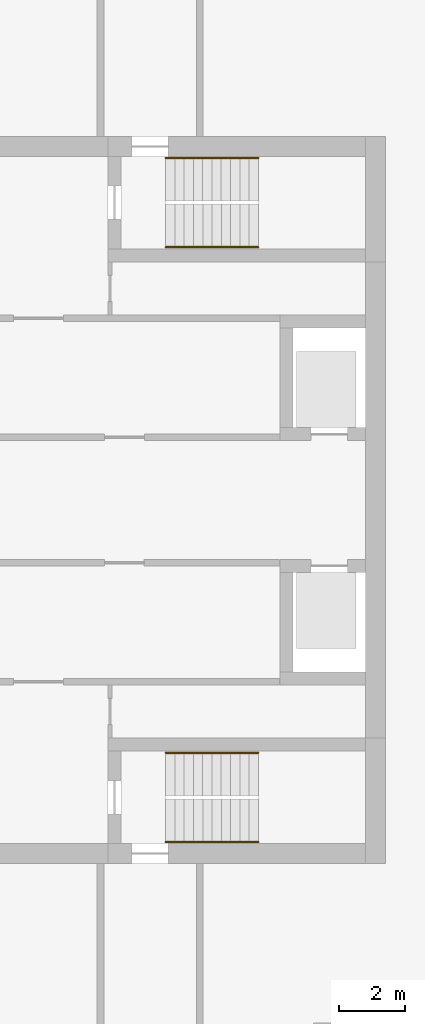
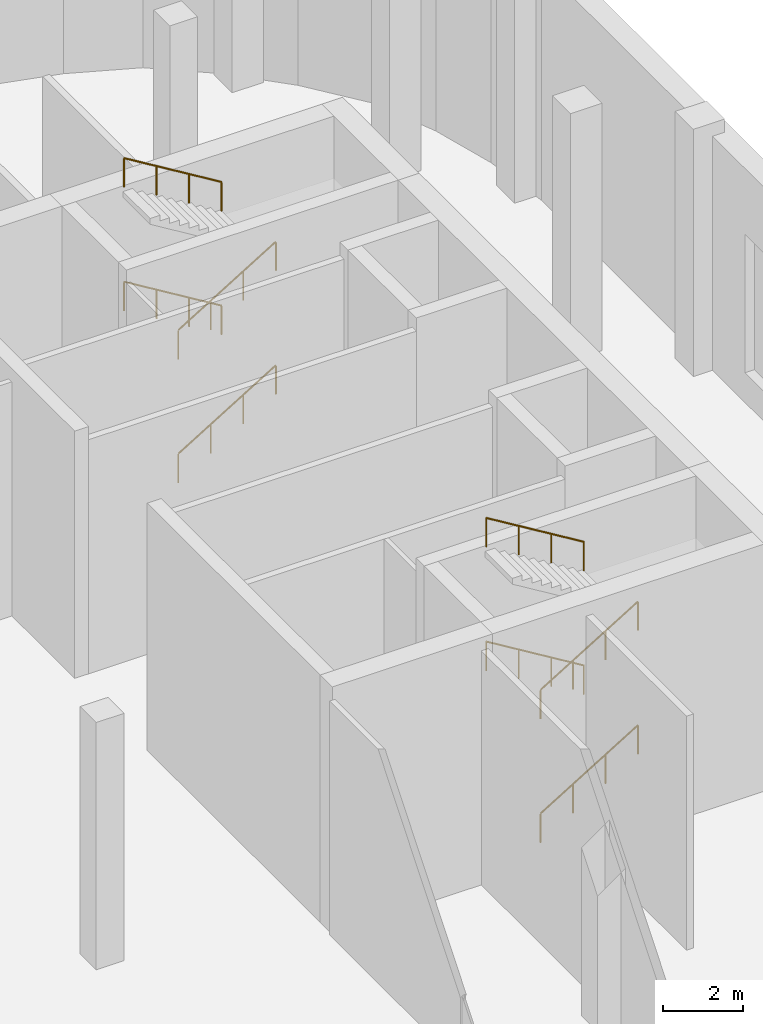
# One storey, part 28 of 30: 8 railings.
"""IFC4 building model written with IfcOpenShell, lengths in metres."""

from ifc_helpers import new_model, si_unit, direction, frame, origin, origin_2d, place, context, subcontext, project, spatial, circle, extrude, material, type_object, element, save


model = new_model("IFC4")

# Units and contexts
model_context = context("Model", 3, precision=1e-05, world=origin(), true_north=direction((0.0, 1.0)))
body_context = subcontext(model_context, "Body", "Model", "MODEL_VIEW")
ifc_project = project(units=[si_unit("LENGTHUNIT", "METRE"), si_unit("AREAUNIT", "SQUARE_METRE"), si_unit("VOLUMEUNIT", "CUBIC_METRE"), si_unit("PLANEANGLEUNIT", "RADIAN"), si_unit("MASSUNIT", "GRAM", prefix="KILO")], contexts=[model_context])

# Site, building, storey
site_placement = place(None, origin())
site = spatial("IfcSite", under=ifc_project, at=site_placement, CompositionType="ELEMENT")
building_placement = place(site_placement, origin())
building = spatial("IfcBuilding", under=site, at=building_placement, Name="Skarvind Civic Tower", CompositionType="ELEMENT")
storey_placement = place(building_placement, origin())
storey = spatial("IfcBuildingStorey", under=building, at=storey_placement, Name="L00", CompositionType="ELEMENT", Elevation=0.0)

# Railings
ifc_material = material(Name="Painted steel handrail", Category="steel")
railing_type = type_object("IfcRailingType", Name="Stair handrail 900", PredefinedType="HANDRAIL", material=ifc_material)
railing_1_placement = place(storey_placement, frame((160.35009765625, 135.64990234375, 0.17041015625)))
element("IfcRailing", 1, at=railing_1_placement, inside=storey, type_object=railing_type, Name="Stair handrail", PredefinedType="HANDRAIL", context=body_context, shape_type="SweptSolid", body=[
    extrude(circle(Radius=0.02392578125, at=origin_2d()), frame((0.0, 0.0, 0.8759765625), z_axis=(0.854149651119, 0.0, 0.520027281489), x_axis=(0.0, 1.0, 0.0)), (0.0, 0.0, 1.0), 3.27783203125),
    extrude(circle(Radius=0.02099609375, at=origin_2d()), origin(), (0.0, 0.0, 1.0), 0.851806640625),
    extrude(circle(Radius=0.02099609375, at=origin_2d()), frame((0.933349609375, 0.0, 0.568115234375)), (0.0, 0.0, 1.0), 0.851806640625),
    extrude(circle(Radius=0.02099609375, at=origin_2d()), frame((1.866455078125, 0.0, 1.136474609375)), (0.0, 0.0, 1.0), 0.851806640625),
    extrude(circle(Radius=0.02099609375, at=origin_2d()), frame((2.7998046875, 0.0, 1.70458984375)), (0.0, 0.0, 1.0), 0.851806640625),
])
railing_2_placement = place(storey_placement, frame((163.14990234375, 138.35009765625, 2.04541015625)))
element("IfcRailing", 2, at=railing_2_placement, inside=storey, type_object=railing_type, Name="Stair handrail", PredefinedType="HANDRAIL", context=body_context, shape_type="SweptSolid", body=[
    extrude(circle(Radius=0.02392578125, at=origin_2d()), frame((0.0, 0.0, 0.8759765625), z_axis=(-0.854149651119, 0.0, 0.520027281489), x_axis=(0.0, -1.0, 0.0)), (0.0, 0.0, 1.0), 3.27783203125),
    extrude(circle(Radius=0.02099609375, at=origin_2d()), origin(), (0.0, 0.0, 1.0), 0.851806640625),
    extrude(circle(Radius=0.02099609375, at=origin_2d()), frame((-0.933349609375, 0.0, 0.568115234375)), (0.0, 0.0, 1.0), 0.851806640625),
    extrude(circle(Radius=0.02099609375, at=origin_2d()), frame((-1.866455078125, 0.0, 1.136474609375)), (0.0, 0.0, 1.0), 0.851806640625),
    extrude(circle(Radius=0.02099609375, at=origin_2d()), frame((-2.7998046875, 0.0, 1.70458984375)), (0.0, 0.0, 1.0), 0.851806640625),
])
railing_3_placement = place(storey_placement, frame((160.35009765625, 135.64990234375, 3.92041015625)))
element("IfcRailing", 3, at=railing_3_placement, inside=storey, type_object=railing_type, Name="Stair handrail", PredefinedType="HANDRAIL", context=body_context, shape_type="SweptSolid", body=[
    extrude(circle(Radius=0.02392578125, at=origin_2d()), frame((0.0, 0.0, 0.8759765625), z_axis=(0.854149651119, 0.0, 0.520027281489), x_axis=(0.0, 1.0, 0.0)), (0.0, 0.0, 1.0), 3.27783203125),
    extrude(circle(Radius=0.02099609375, at=origin_2d()), origin(), (0.0, 0.0, 1.0), 0.851806640625),
    extrude(circle(Radius=0.02099609375, at=origin_2d()), frame((0.933349609375, 0.0, 0.568115234375)), (0.0, 0.0, 1.0), 0.851806640625),
    extrude(circle(Radius=0.02099609375, at=origin_2d()), frame((1.866455078125, 0.0, 1.136474609375)), (0.0, 0.0, 1.0), 0.851806640625),
    extrude(circle(Radius=0.02099609375, at=origin_2d()), frame((2.7998046875, 0.0, 1.70458984375)), (0.0, 0.0, 1.0), 0.851806640625),
])
railing_4_placement = place(storey_placement, frame((163.14990234375, 138.35009765625, 5.79541015625)))
element("IfcRailing", 4, at=railing_4_placement, inside=storey, type_object=railing_type, Name="Stair handrail", PredefinedType="HANDRAIL", context=body_context, shape_type="SweptSolid", body=[
    extrude(circle(Radius=0.02392578125, at=origin_2d()), frame((0.0, 0.0, 0.8759765625), z_axis=(-0.854149651119, 0.0, 0.520027281489), x_axis=(0.0, -1.0, 0.0)), (0.0, 0.0, 1.0), 3.27783203125),
    extrude(circle(Radius=0.02099609375, at=origin_2d()), origin(), (0.0, 0.0, 1.0), 0.851806640625),
    extrude(circle(Radius=0.02099609375, at=origin_2d()), frame((-0.933349609375, 0.0, 0.568115234375)), (0.0, 0.0, 1.0), 0.851806640625),
    extrude(circle(Radius=0.02099609375, at=origin_2d()), frame((-1.866455078125, 0.0, 1.136474609375)), (0.0, 0.0, 1.0), 0.851806640625),
    extrude(circle(Radius=0.02099609375, at=origin_2d()), frame((-2.7998046875, 0.0, 1.70458984375)), (0.0, 0.0, 1.0), 0.851806640625),
])
railing_5_placement = place(storey_placement, frame((160.35009765625, 117.64990234375, 0.17041015625)))
element("IfcRailing", 5, at=railing_5_placement, inside=storey, type_object=railing_type, Name="Stair handrail", PredefinedType="HANDRAIL", context=body_context, shape_type="SweptSolid", body=[
    extrude(circle(Radius=0.02392578125, at=origin_2d()), frame((0.0, 0.0, 0.8759765625), z_axis=(0.854149651119, 0.0, 0.520027281489), x_axis=(0.0, 1.0, 0.0)), (0.0, 0.0, 1.0), 3.27783203125),
    extrude(circle(Radius=0.02099609375, at=origin_2d()), origin(), (0.0, 0.0, 1.0), 0.851806640625),
    extrude(circle(Radius=0.02099609375, at=origin_2d()), frame((0.933349609375, 0.0, 0.568115234375)), (0.0, 0.0, 1.0), 0.851806640625),
    extrude(circle(Radius=0.02099609375, at=origin_2d()), frame((1.866455078125, 0.0, 1.136474609375)), (0.0, 0.0, 1.0), 0.851806640625),
    extrude(circle(Radius=0.02099609375, at=origin_2d()), frame((2.7998046875, 0.0, 1.70458984375)), (0.0, 0.0, 1.0), 0.851806640625),
])
railing_6_placement = place(storey_placement, frame((163.14990234375, 120.35009765625, 2.04541015625)))
element("IfcRailing", 6, at=railing_6_placement, inside=storey, type_object=railing_type, Name="Stair handrail", PredefinedType="HANDRAIL", context=body_context, shape_type="SweptSolid", body=[
    extrude(circle(Radius=0.02392578125, at=origin_2d()), frame((0.0, 0.0, 0.8759765625), z_axis=(-0.854149651119, 0.0, 0.520027281489), x_axis=(0.0, -1.0, 0.0)), (0.0, 0.0, 1.0), 3.27783203125),
    extrude(circle(Radius=0.02099609375, at=origin_2d()), origin(), (0.0, 0.0, 1.0), 0.851806640625),
    extrude(circle(Radius=0.02099609375, at=origin_2d()), frame((-0.933349609375, 0.0, 0.568115234375)), (0.0, 0.0, 1.0), 0.851806640625),
    extrude(circle(Radius=0.02099609375, at=origin_2d()), frame((-1.866455078125, 0.0, 1.136474609375)), (0.0, 0.0, 1.0), 0.851806640625),
    extrude(circle(Radius=0.02099609375, at=origin_2d()), frame((-2.7998046875, 0.0, 1.70458984375)), (0.0, 0.0, 1.0), 0.851806640625),
])
railing_7_placement = place(storey_placement, frame((160.35009765625, 117.64990234375, 3.92041015625)))
element("IfcRailing", 7, at=railing_7_placement, inside=storey, type_object=railing_type, Name="Stair handrail", PredefinedType="HANDRAIL", context=body_context, shape_type="SweptSolid", body=[
    extrude(circle(Radius=0.02392578125, at=origin_2d()), frame((0.0, 0.0, 0.8759765625), z_axis=(0.854149651119, 0.0, 0.520027281489), x_axis=(0.0, 1.0, 0.0)), (0.0, 0.0, 1.0), 3.27783203125),
    extrude(circle(Radius=0.02099609375, at=origin_2d()), origin(), (0.0, 0.0, 1.0), 0.851806640625),
    extrude(circle(Radius=0.02099609375, at=origin_2d()), frame((0.933349609375, 0.0, 0.568115234375)), (0.0, 0.0, 1.0), 0.851806640625),
    extrude(circle(Radius=0.02099609375, at=origin_2d()), frame((1.866455078125, 0.0, 1.136474609375)), (0.0, 0.0, 1.0), 0.851806640625),
    extrude(circle(Radius=0.02099609375, at=origin_2d()), frame((2.7998046875, 0.0, 1.70458984375)), (0.0, 0.0, 1.0), 0.851806640625),
])
railing_8_placement = place(storey_placement, frame((163.14990234375, 120.35009765625, 5.79541015625)))
element("IfcRailing", 8, at=railing_8_placement, inside=storey, type_object=railing_type, Name="Stair handrail", PredefinedType="HANDRAIL", context=body_context, shape_type="SweptSolid", body=[
    extrude(circle(Radius=0.02392578125, at=origin_2d()), frame((0.0, 0.0, 0.8759765625), z_axis=(-0.854149651119, 0.0, 0.520027281489), x_axis=(0.0, -1.0, 0.0)), (0.0, 0.0, 1.0), 3.27783203125),
    extrude(circle(Radius=0.02099609375, at=origin_2d()), origin(), (0.0, 0.0, 1.0), 0.851806640625),
    extrude(circle(Radius=0.02099609375, at=origin_2d()), frame((-0.933349609375, 0.0, 0.568115234375)), (0.0, 0.0, 1.0), 0.851806640625),
    extrude(circle(Radius=0.02099609375, at=origin_2d()), frame((-1.866455078125, 0.0, 1.136474609375)), (0.0, 0.0, 1.0), 0.851806640625),
    extrude(circle(Radius=0.02099609375, at=origin_2d()), frame((-2.7998046875, 0.0, 1.70458984375)), (0.0, 0.0, 1.0), 0.851806640625),
])

save(model, "model.ifc")
